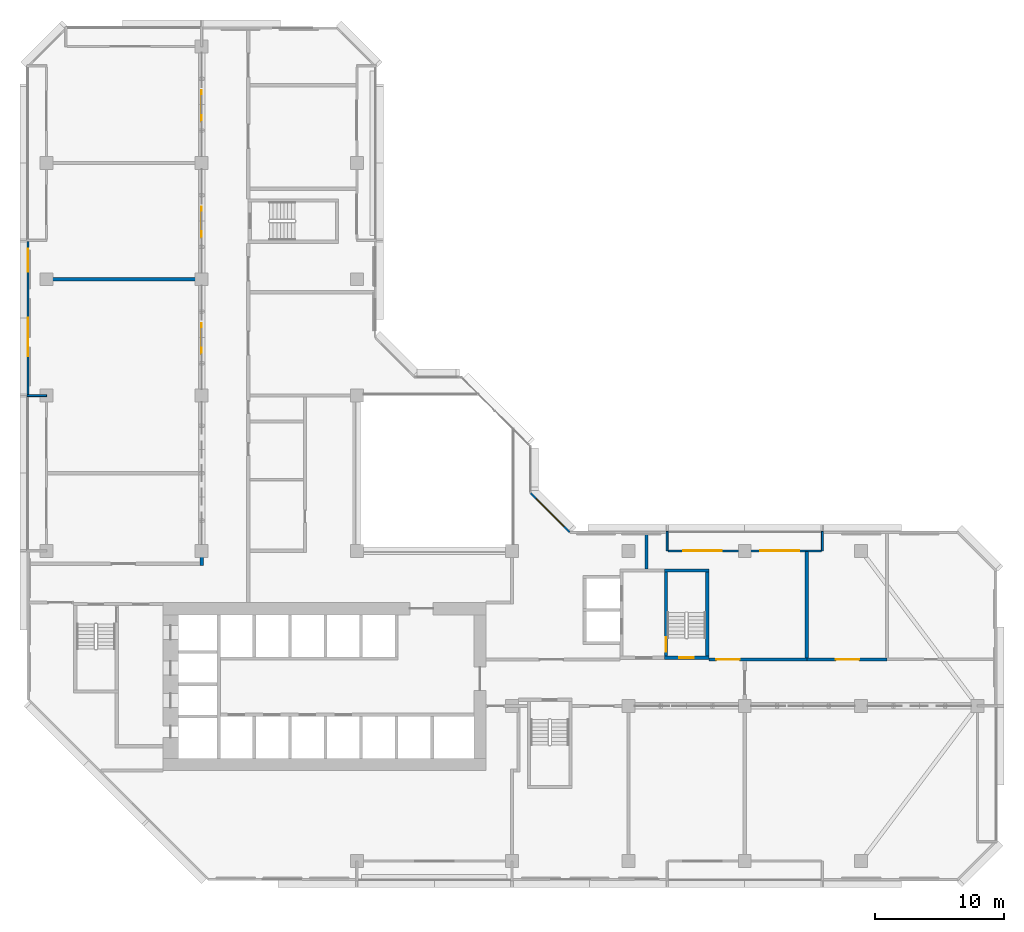
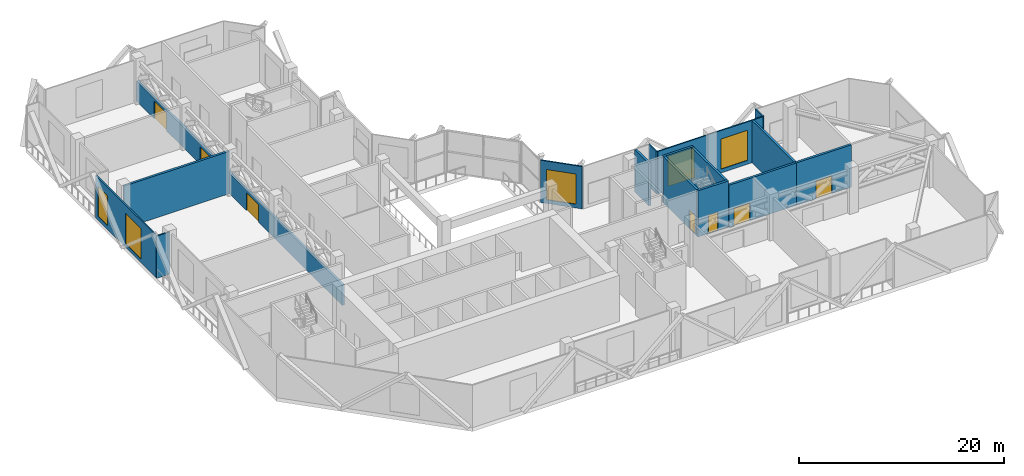
# One storey, part 8 of 15: 16 walls, 7 doors, 5 windows, 12 openings.
"""IFC4 building model written with IfcOpenShell, lengths in metres."""

from ifc_helpers import new_model, si_unit, direction, frame, frame_2d, origin, place, context, subcontext, project, spatial, rectangle, extrude, material, layer, layer_set, type_object, element, fill, save


model = new_model("IFC4")

# Units and contexts
model_context = context("Model", 3, precision=1e-05, world=origin(), true_north=direction((0.0, 1.0)))
body_context = subcontext(model_context, "Body", "Model", "MODEL_VIEW")
ifc_project = project(units=[si_unit("LENGTHUNIT", "METRE"), si_unit("AREAUNIT", "SQUARE_METRE"), si_unit("VOLUMEUNIT", "CUBIC_METRE"), si_unit("PLANEANGLEUNIT", "RADIAN"), si_unit("MASSUNIT", "GRAM", prefix="KILO")], contexts=[model_context])

# Site, building, storey
site_placement = place(None, origin())
site = spatial("IfcSite", under=ifc_project, at=site_placement, CompositionType="ELEMENT")
building_placement = place(site_placement, origin())
building = spatial("IfcBuilding", under=site, at=building_placement, Name="Chenar Terraces", CompositionType="ELEMENT")
storey_placement = place(building_placement, frame((0.0, 0.0, 140.64990234375)))
storey = spatial("IfcBuildingStorey", under=building, at=storey_placement, Name="L33", CompositionType="ELEMENT", Elevation=140.64990234375)

# Wall, opening, door
ifc_material_1 = material(Name="Concrete C70/85", Category="concrete")
ifc_layer_1 = layer(ifc_material_1, 0.25)
ifc_layer_set_1 = layer_set([ifc_layer_1], Name="Concrete C70/85")
wall_type_1 = type_object("IfcWallType", Name="Core wall 250 Concrete C70/85", PredefinedType="SHEAR", material=ifc_layer_set_1)
wall_1_placement = place(storey_placement, frame((47.77490234375, 15.72509765625, 0.0), z_axis=(0.0, 0.0, 1.0), x_axis=(1.0, 0.0, 0.0)))
wall_1 = element("IfcWall", 1, at=wall_1_placement, inside=storey, type_object=wall_type_1, Name="Core wall ST3_S L33", PredefinedType="SHEAR", context=body_context, shape_type="SweptSolid", body=[
    extrude(rectangle(XDim=3.4501953125, YDim=0.25, at=frame_2d((1.72509765625, 0.0))), origin(), (0.0, 0.0, 1.0), 5.5),
])
opening_1_placement = place(wall_1_placement, frame((1.175048828125, 0.0, 0.0)))
opening_1 = element("IfcOpeningElement", 2, at=opening_1_placement, cuts=wall_1, Name="Opening DL33-C8", PredefinedType="OPENING", context=body_context, shape_type="SweptSolid", body=[
    extrude(rectangle(XDim=1.10009765625, YDim=2.199951171875, at=frame_2d((0.550048828125, 1.10009765625))), frame((0.0, 0.135009765625, 0.0), z_axis=(0.0, -1.0, 0.0), x_axis=(1.0, 0.0, 0.0)), (0.0, 0.0, 1.0), 0.27001953125),
])
ifc_material_2 = material(Name="Steel-framed fire-resisting door leaf", Category="steel")
door_type_1 = type_object("IfcDoorType", Name="Stair fire door FD60 1100 x 2200", OperationType="SINGLE_SWING_LEFT", PredefinedType="DOOR", material=ifc_material_2)
door_1_placement = place(opening_1_placement, frame((1.10009765625, 0.0, 0.0), z_axis=(0.0, 0.0, 1.0), x_axis=(-1.0, 0.0, 0.0)))
door_1 = element("IfcDoor", 3, at=door_1_placement, inside=storey, type_object=door_type_1, Name="Stair door DL33-C8", OperationType="SINGLE_SWING_LEFT", OverallHeight=2.199951171875, OverallWidth=1.10009765625, PredefinedType="DOOR", context=body_context, shape_type="SweptSolid", body=[
    extrude(rectangle(XDim=1.10009765625, YDim=2.199951171875, at=frame_2d((0.550048828125, 1.10009765625))), frame((0.0, 0.02490234375, 0.0), z_axis=(0.0, -1.0, 0.0), x_axis=(1.0, 0.0, 0.0)), (0.0, 0.0, 1.0), 0.050048828125),
])
fill(opening_1, door_1)

# Wall
wall_2_placement = place(storey_placement, frame((47.77490234375, 22.47509765625, 0.0), z_axis=(0.0, 0.0, 1.0), x_axis=(1.0, 0.0, 0.0)))
element("IfcWall", 4, at=wall_2_placement, inside=storey, type_object=wall_type_1, Name="Core wall ST3_N L33", PredefinedType="SHEAR", context=body_context, shape_type="SweptSolid", body=[
    extrude(rectangle(XDim=3.4501953125, YDim=0.25, at=frame_2d((1.72509765625, 0.0))), origin(), (0.0, 0.0, 1.0), 5.5),
])

# Wall, opening, door
wall_3_placement = place(storey_placement, frame((47.89990234375, 15.85009765625, 0.0), z_axis=(0.0, 0.0, 1.0), x_axis=(0.0, 1.0, 0.0)))
wall_3 = element("IfcWall", 5, at=wall_3_placement, inside=storey, type_object=wall_type_1, Name="Core wall ST3_W L33", PredefinedType="SHEAR", context=body_context, shape_type="SweptSolid", body=[
    extrude(rectangle(XDim=6.5, YDim=0.25, at=frame_2d((3.25, 0.0))), origin(), (0.0, 0.0, 1.0), 5.5),
])
opening_2_placement = place(wall_3_placement, frame((0.35009765625, 0.0, 0.0)))
opening_2 = element("IfcOpeningElement", 6, at=opening_2_placement, cuts=wall_3, Name="Opening DL33-C11", PredefinedType="OPENING", context=body_context, shape_type="SweptSolid", body=[
    extrude(rectangle(XDim=1.10009765625, YDim=2.199951171875, at=frame_2d((0.550048828125, 1.10009765625))), frame((0.0, 0.135009765625, 0.0), z_axis=(0.0, -1.0, 0.0), x_axis=(1.0, 0.0, 0.0)), (0.0, 0.0, 1.0), 0.27001953125),
])
door_2_placement = place(opening_2_placement, frame((1.10009765625, 0.0, 0.0), z_axis=(0.0, 0.0, 1.0), x_axis=(-1.0, 0.0, 0.0)))
door_2 = element("IfcDoor", 7, at=door_2_placement, inside=storey, type_object=door_type_1, Name="Stair door DL33-C11", OperationType="SINGLE_SWING_RIGHT", OverallHeight=2.199951171875, OverallWidth=1.10009765625, PredefinedType="DOOR", context=body_context, shape_type="SweptSolid", body=[
    extrude(rectangle(XDim=1.10009765625, YDim=2.199951171875, at=frame_2d((0.550048828125, 1.10009765625))), frame((0.0, 0.02490234375, 0.0), z_axis=(0.0, -1.0, 0.0), x_axis=(1.0, 0.0, 0.0)), (0.0, 0.0, 1.0), 0.050048828125),
])
fill(opening_2, door_2)

# Wall
wall_4_placement = place(storey_placement, frame((51.10009765625, 15.85009765625, 0.0), z_axis=(0.0, 0.0, 1.0), x_axis=(0.0, 1.0, 0.0)))
element("IfcWall", 8, at=wall_4_placement, inside=storey, type_object=wall_type_1, Name="Core wall ST3_E L33", PredefinedType="SHEAR", context=body_context, shape_type="SweptSolid", body=[
    extrude(rectangle(XDim=6.5, YDim=0.25, at=frame_2d((3.25, 0.0))), origin(), (0.0, 0.0, 1.0), 5.5),
])

# Wall, openings, windows
ifc_material_3 = material(Name="Aluminium framed glazing", Category="aluminium")
ifc_layer_2 = layer(ifc_material_3, 0.14990234375)
ifc_layer_set_2 = layer_set([ifc_layer_2], Name="Aluminium framed glazing")
wall_type_2 = type_object("IfcWallType", Name="Glazed flush facade wall 150", PredefinedType="SOLIDWALL", material=ifc_layer_set_2)
wall_5_placement = place(storey_placement, frame((-1.425048828125, 47.925048828125, 0.0), z_axis=(0.0, 0.0, 1.0), x_axis=(0.0, -1.0, 0.0)))
wall_5 = element("IfcWall", 9, at=wall_5_placement, inside=storey, type_object=wall_type_2, Name="Glazed flush facade wall", PredefinedType="SOLIDWALL", context=body_context, shape_type="SweptSolid", body=[
    extrude(rectangle(XDim=11.85009765625, YDim=0.14990234375, at=frame_2d((5.925048828125, 0.0))), origin(), (0.0, 0.0, 1.0), 5.050048828125),
])
opening_3_placement = place(wall_5_placement, frame((0.5625, 0.0, 0.449951171875)))
opening_3 = element("IfcOpeningElement", 10, at=opening_3_placement, cuts=wall_5, Name="Opening W180x360", PredefinedType="OPENING", context=body_context, shape_type="SweptSolid", body=[
    extrude(rectangle(XDim=1.800048828125, YDim=3.60009765625, at=frame_2d((0.89990234375, 1.800048828125))), frame((0.0, 0.0849609375, 0.0), z_axis=(0.0, -1.0, 0.0), x_axis=(1.0, 0.0, 0.0)), (0.0, 0.0, 1.0), 0.169921875),
])
opening_4_placement = place(wall_5_placement, frame((5.887451171875, 0.0, 0.449951171875)))
opening_4 = element("IfcOpeningElement", 11, at=opening_4_placement, cuts=wall_5, Name="Opening W300x360", PredefinedType="OPENING", context=body_context, shape_type="SweptSolid", body=[
    extrude(rectangle(XDim=3.0, YDim=3.60009765625, at=frame_2d((1.5, 1.800048828125))), frame((0.0, 0.0849609375, 0.0), z_axis=(0.0, -1.0, 0.0), x_axis=(1.0, 0.0, 0.0)), (0.0, 0.0, 1.0), 0.169921875),
])
ifc_material_4 = material(Name="Low emissivity double glazing, aluminium frame", Category="aluminium")
window_type_1 = type_object("IfcWindowType", Name="Fixed light 1800 x 3600", PartitioningType="SINGLE_PANEL", PredefinedType="WINDOW", material=ifc_material_4)
window_1_placement = place(opening_3_placement, origin())
window_1 = element("IfcWindow", 12, at=window_1_placement, inside=storey, type_object=window_type_1, Name="Window", OverallHeight=3.60009765625, OverallWidth=1.800048828125, PartitioningType="SINGLE_PANEL", PredefinedType="WINDOW", context=body_context, shape_type="SweptSolid", body=[
    extrude(rectangle(XDim=1.800048828125, YDim=3.60009765625, at=frame_2d((0.89990234375, 1.800048828125))), frame((0.0, 0.030029296875, 0.0), z_axis=(0.0, -1.0, 0.0), x_axis=(1.0, 0.0, 0.0)), (0.0, 0.0, 1.0), 0.06005859375),
])
fill(opening_3, window_1)
ifc_material_5 = material(Name="Low emissivity double glazing, aluminium frame", Category="aluminium")
window_type_2 = type_object("IfcWindowType", Name="Fixed light 3000 x 3600", PartitioningType="SINGLE_PANEL", PredefinedType="WINDOW", material=ifc_material_5)
window_2_placement = place(opening_4_placement, origin())
window_2 = element("IfcWindow", 13, at=window_2_placement, inside=storey, type_object=window_type_2, Name="Window", OverallHeight=3.60009765625, OverallWidth=3.0, PartitioningType="SINGLE_PANEL", PredefinedType="WINDOW", context=body_context, shape_type="SweptSolid", body=[
    extrude(rectangle(XDim=3.0, YDim=3.60009765625, at=frame_2d((1.5, 1.800048828125))), frame((0.0, 0.030029296875, 0.0), z_axis=(0.0, -1.0, 0.0), x_axis=(1.0, 0.0, 0.0)), (0.0, 0.0, 1.0), 0.06005859375),
])
fill(opening_4, window_2)

ifc_material_6 = material(Name="Aluminium framed glazing", Category="aluminium")
ifc_layer_3 = layer(ifc_material_6, 0.14990234375)
ifc_layer_set_3 = layer_set([ifc_layer_3], Name="Aluminium framed glazing")
wall_type_3 = type_object("IfcWallType", Name="Glazed loggia back wall 150", PredefinedType="SOLIDWALL", material=ifc_layer_set_3)
wall_6_placement = place(storey_placement, frame((59.925048828125, 24.0, 0.0), z_axis=(0.0, 0.0, 1.0), x_axis=(-1.0, 0.0, 0.0)))
wall_6 = element("IfcWall", 14, at=wall_6_placement, inside=storey, type_object=wall_type_3, Name="Glazed loggia back wall", PredefinedType="SOLIDWALL", context=body_context, shape_type="SweptSolid", body=[
    extrude(rectangle(XDim=11.85009765625, YDim=0.14990234375, at=frame_2d((5.925048828125, 0.0))), origin(), (0.0, 0.0, 1.0), 5.050048828125),
])
opening_5_placement = place(wall_6_placement, frame((1.72509765625, 0.0, 0.449951171875)))
opening_5 = element("IfcOpeningElement", 15, at=opening_5_placement, cuts=wall_6, Name="Opening W300x360", PredefinedType="OPENING", context=body_context, shape_type="SweptSolid", body=[
    extrude(rectangle(XDim=3.0, YDim=3.60009765625, at=frame_2d((1.5, 1.800048828125))), frame((0.0, 0.0849609375, 0.0), z_axis=(0.0, -1.0, 0.0), x_axis=(1.0, 0.0, 0.0)), (0.0, 0.0, 1.0), 0.169921875),
])
opening_6_placement = place(wall_6_placement, frame((7.6875, 0.0, 0.449951171875)))
opening_6 = element("IfcOpeningElement", 16, at=opening_6_placement, cuts=wall_6, Name="Opening W300x360", PredefinedType="OPENING", context=body_context, shape_type="SweptSolid", body=[
    extrude(rectangle(XDim=3.0, YDim=3.60009765625, at=frame_2d((1.5, 1.800048828125))), frame((0.0, 0.0849609375, 0.0), z_axis=(0.0, -1.0, 0.0), x_axis=(1.0, 0.0, 0.0)), (0.0, 0.0, 1.0), 0.169921875),
])
window_3_placement = place(opening_5_placement, origin())
window_3 = element("IfcWindow", 17, at=window_3_placement, inside=storey, type_object=window_type_2, Name="Window", OverallHeight=3.60009765625, OverallWidth=3.0, PartitioningType="SINGLE_PANEL", PredefinedType="WINDOW", context=body_context, shape_type="SweptSolid", body=[
    extrude(rectangle(XDim=3.0, YDim=3.60009765625, at=frame_2d((1.5, 1.800048828125))), frame((0.0, 0.030029296875, 0.0), z_axis=(0.0, -1.0, 0.0), x_axis=(1.0, 0.0, 0.0)), (0.0, 0.0, 1.0), 0.06005859375),
])
fill(opening_5, window_3)
window_4_placement = place(opening_6_placement, origin())
window_4 = element("IfcWindow", 18, at=window_4_placement, inside=storey, type_object=window_type_2, Name="Window", OverallHeight=3.60009765625, OverallWidth=3.0, PartitioningType="SINGLE_PANEL", PredefinedType="WINDOW", context=body_context, shape_type="SweptSolid", body=[
    extrude(rectangle(XDim=3.0, YDim=3.60009765625, at=frame_2d((1.5, 1.800048828125))), frame((0.0, 0.030029296875, 0.0), z_axis=(0.0, -1.0, 0.0), x_axis=(1.0, 0.0, 0.0)), (0.0, 0.0, 1.0), 0.06005859375),
])
fill(opening_6, window_4)

# Walls
ifc_material_7 = material(Name="Terracotta cladding on insulated backing", Category="masonry")
ifc_layer_4 = layer(ifc_material_7, 0.14990234375)
ifc_layer_set_4 = layer_set([ifc_layer_4], Name="Terracotta cladding on insulated backing")
wall_type_4 = type_object("IfcWallType", Name="Loggia return wall 150", PredefinedType="SOLIDWALL", material=ifc_layer_set_4)
for number, where, z_axis, x_axis, name in (
    (19, (60.0, 25.5, 0.0), (0.0, 0.0, 1.0), (0.0, -1.0, 0.0), "Loggia return wall"),
    (20, (48.0, 25.5, 0.0), (0.0, 0.0, 1.0), (0.0, -1.0, 0.0), "Loggia return wall"),
    (21, (-1.5, 36.0, 0.0), (0.0, 0.0, 1.0), (1.0, 0.0, 0.0), "Loggia return wall"),
):
    element("IfcWall", number, at=place(storey_placement, frame(where, z_axis=z_axis, x_axis=x_axis)), inside=storey, type_object=wall_type_4, Name=name, PredefinedType="SOLIDWALL", context=body_context, shape_type="SweptSolid", body=[
        extrude(rectangle(XDim=1.5, YDim=0.14990234375, at=frame_2d((0.75, 0.0))), origin(), (0.0, 0.0, 1.0), 5.050048828125),
    ])

# Wall, opening, door
ifc_material_8 = material(Name="Fire-board and steel stud wall with mineral wool", Category="steel")
ifc_layer_5 = layer(ifc_material_8, 0.25)
ifc_layer_set_5 = layer_set([ifc_layer_5], Name="Fire-board and steel stud wall with mineral wool")
wall_type_5 = type_object("IfcWallType", Name="Plant room wall 250", PredefinedType="PARTITIONING", material=ifc_layer_set_5)
wall_7_placement = place(storey_placement, frame((58.800048828125, 15.60009765625, 0.0), z_axis=(0.0, 0.0, 1.0), x_axis=(1.0, 0.0, 0.0)))
wall_7 = element("IfcWall", 22, at=wall_7_placement, inside=storey, type_object=wall_type_5, Name="Partition L33-031", PredefinedType="PARTITIONING", context=body_context, shape_type="SweptSolid", body=[
    extrude(rectangle(XDim=6.199951171875, YDim=0.25, at=frame_2d((3.10009765625, 0.0))), origin(), (0.0, 0.0, 1.0), 5.050048828125),
])
opening_7_placement = place(wall_7_placement, frame((2.25, 0.0, 0.0)))
opening_7 = element("IfcOpeningElement", 23, at=opening_7_placement, cuts=wall_7, Name="Opening DL33-3", PredefinedType="OPENING", context=body_context, shape_type="SweptSolid", body=[
    extrude(rectangle(XDim=1.800048828125, YDim=2.10009765625, at=frame_2d((0.89990234375, 1.050048828125))), frame((0.0, 0.135009765625, 0.0), z_axis=(0.0, -1.0, 0.0), x_axis=(1.0, 0.0, 0.0)), (0.0, 0.0, 1.0), 0.27001953125),
])
ifc_material_9 = material(Name="Steel-framed fire-resisting door leaf", Category="steel")
door_type_2 = type_object("IfcDoorType", Name="Fire double door FD120 1800 x 2100", OperationType="DOUBLE_DOOR_SINGLE_SWING", PredefinedType="DOOR", material=ifc_material_9)
door_3_placement = place(opening_7_placement, origin())
door_3 = element("IfcDoor", 24, at=door_3_placement, inside=storey, type_object=door_type_2, Name="Door DL33-3", OperationType="DOUBLE_DOOR_SINGLE_SWING", OverallHeight=2.10009765625, OverallWidth=1.800048828125, PredefinedType="DOOR", context=body_context, shape_type="SweptSolid", body=[
    extrude(rectangle(XDim=1.800048828125, YDim=2.10009765625, at=frame_2d((0.89990234375, 1.050048828125))), frame((0.0, 0.02490234375, 0.0), z_axis=(0.0, -1.0, 0.0), x_axis=(1.0, 0.0, 0.0)), (0.0, 0.0, 1.0), 0.050048828125),
])
fill(opening_7, door_3)

# Wall
ifc_material_10 = material(Name="Fire-board and steel stud wall with mineral wool", Category="steel")
ifc_layer_6 = layer(ifc_material_10, 0.25)
ifc_layer_set_6 = layer_set([ifc_layer_6], Name="Fire-board and steel stud wall with mineral wool")
wall_type_6 = type_object("IfcWallType", Name="Refuge compartment wall 250", PredefinedType="PARTITIONING", material=ifc_layer_set_6)
wall_8_placement = place(storey_placement, frame((0.0, 45.0, 0.0), z_axis=(0.0, 0.0, 1.0), x_axis=(1.0, 0.0, 0.0)))
element("IfcWall", 25, at=wall_8_placement, inside=storey, type_object=wall_type_6, Name="Partition L33-003", PredefinedType="PARTITIONING", context=body_context, shape_type="SweptSolid", body=[
    extrude(rectangle(XDim=11.875, YDim=0.25, at=frame_2d((5.9375, 0.0))), origin(), (0.0, 0.0, 1.0), 5.050048828125),
])

# Wall, openings, doors
wall_9_placement = place(storey_placement, frame((12.0, 22.875, 0.0), z_axis=(0.0, 0.0, 1.0), x_axis=(0.0, 1.0, 0.0)))
wall_9 = element("IfcWall", 26, at=wall_9_placement, inside=storey, type_object=wall_type_6, Name="Partition L33-007", PredefinedType="PARTITIONING", context=body_context, shape_type="SweptSolid", body=[
    extrude(rectangle(XDim=40.125, YDim=0.25, at=frame_2d((20.0625, 0.0))), origin(), (0.0, 0.0, 1.0), 2.4501953125),
])
opening_8_placement = place(wall_9_placement, frame((16.324951171875, 0.0, 0.0)))
opening_8 = element("IfcOpeningElement", 27, at=opening_8_placement, cuts=wall_9, Name="Opening DL33-13", PredefinedType="OPENING", context=body_context, shape_type="SweptSolid", body=[
    extrude(rectangle(XDim=2.39990234375, YDim=2.10009765625, at=frame_2d((1.199951171875, 1.050048828125))), frame((0.0, 0.135009765625, 0.0), z_axis=(0.0, -1.0, 0.0), x_axis=(1.0, 0.0, 0.0)), (0.0, 0.0, 1.0), 0.27001953125),
])
opening_9_placement = place(wall_9_placement, frame((25.324951171875, 0.0, 0.0)))
opening_9 = element("IfcOpeningElement", 28, at=opening_9_placement, cuts=wall_9, Name="Opening DL33-14", PredefinedType="OPENING", context=body_context, shape_type="SweptSolid", body=[
    extrude(rectangle(XDim=2.39990234375, YDim=2.10009765625, at=frame_2d((1.199951171875, 1.050048828125))), frame((0.0, 0.135009765625, 0.0), z_axis=(0.0, -1.0, 0.0), x_axis=(1.0, 0.0, 0.0)), (0.0, 0.0, 1.0), 0.27001953125),
])
opening_10_placement = place(wall_9_placement, frame((34.324951171875, 0.0, 0.0)))
opening_10 = element("IfcOpeningElement", 29, at=opening_10_placement, cuts=wall_9, Name="Opening DL33-15", PredefinedType="OPENING", context=body_context, shape_type="SweptSolid", body=[
    extrude(rectangle(XDim=2.39990234375, YDim=2.10009765625, at=frame_2d((1.199951171875, 1.050048828125))), frame((0.0, 0.135009765625, 0.0), z_axis=(0.0, -1.0, 0.0), x_axis=(1.0, 0.0, 0.0)), (0.0, 0.0, 1.0), 0.27001953125),
])
ifc_material_11 = material(Name="Steel-framed fire-resisting door leaf", Category="steel")
door_type_3 = type_object("IfcDoorType", Name="Fire double door FD120 2400 x 2100", OperationType="DOUBLE_DOOR_SINGLE_SWING", PredefinedType="DOOR", material=ifc_material_11)
door_4_placement = place(opening_8_placement, origin())
door_4 = element("IfcDoor", 30, at=door_4_placement, inside=storey, type_object=door_type_3, Name="Door DL33-13", OperationType="DOUBLE_DOOR_SINGLE_SWING", OverallHeight=2.10009765625, OverallWidth=2.39990234375, PredefinedType="DOOR", context=body_context, shape_type="SweptSolid", body=[
    extrude(rectangle(XDim=2.39990234375, YDim=2.10009765625, at=frame_2d((1.199951171875, 1.050048828125))), frame((0.0, 0.02490234375, 0.0), z_axis=(0.0, -1.0, 0.0), x_axis=(1.0, 0.0, 0.0)), (0.0, 0.0, 1.0), 0.050048828125),
])
fill(opening_8, door_4)
door_5_placement = place(opening_9_placement, origin())
door_5 = element("IfcDoor", 31, at=door_5_placement, inside=storey, type_object=door_type_3, Name="Door DL33-14", OperationType="DOUBLE_DOOR_SINGLE_SWING", OverallHeight=2.10009765625, OverallWidth=2.39990234375, PredefinedType="DOOR", context=body_context, shape_type="SweptSolid", body=[
    extrude(rectangle(XDim=2.39990234375, YDim=2.10009765625, at=frame_2d((1.199951171875, 1.050048828125))), frame((0.0, 0.02490234375, 0.0), z_axis=(0.0, -1.0, 0.0), x_axis=(1.0, 0.0, 0.0)), (0.0, 0.0, 1.0), 0.050048828125),
])
fill(opening_9, door_5)
door_6_placement = place(opening_10_placement, origin())
door_6 = element("IfcDoor", 32, at=door_6_placement, inside=storey, type_object=door_type_3, Name="Door DL33-15", OperationType="DOUBLE_DOOR_SINGLE_SWING", OverallHeight=2.10009765625, OverallWidth=2.39990234375, PredefinedType="DOOR", context=body_context, shape_type="SweptSolid", body=[
    extrude(rectangle(XDim=2.39990234375, YDim=2.10009765625, at=frame_2d((1.199951171875, 1.050048828125))), frame((0.0, 0.02490234375, 0.0), z_axis=(0.0, -1.0, 0.0), x_axis=(1.0, 0.0, 0.0)), (0.0, 0.0, 1.0), 0.050048828125),
])
fill(opening_10, door_6)

# Wall
wall_10_placement = place(storey_placement, frame((46.39990234375, 22.60009765625, 0.0), z_axis=(0.0, 0.0, 1.0), x_axis=(0.0, 1.0, 0.0)))
element("IfcWall", 33, at=wall_10_placement, inside=storey, type_object=wall_type_6, Name="Partition L33-027", PredefinedType="PARTITIONING", context=body_context, shape_type="SweptSolid", body=[
    extrude(rectangle(XDim=2.75, YDim=0.25, at=frame_2d((1.375, 0.0))), origin(), (0.0, 0.0, 1.0), 5.050048828125),
])

# Wall, opening, door
wall_11_placement = place(storey_placement, frame((51.22509765625, 15.60009765625, 0.0), z_axis=(0.0, 0.0, 1.0), x_axis=(1.0, 0.0, 0.0)))
wall_11 = element("IfcWall", 34, at=wall_11_placement, inside=storey, type_object=wall_type_6, Name="Partition L33-028", PredefinedType="PARTITIONING", context=body_context, shape_type="SweptSolid", body=[
    extrude(rectangle(XDim=7.574951171875, YDim=0.25, at=frame_2d((3.78759765625, 0.0))), origin(), (0.0, 0.0, 1.0), 5.050048828125),
])
opening_11_placement = place(wall_11_placement, frame((0.574951171875, 0.0, 0.0)))
opening_11 = element("IfcOpeningElement", 35, at=opening_11_placement, cuts=wall_11, Name="Opening DL33-2", PredefinedType="OPENING", context=body_context, shape_type="SweptSolid", body=[
    extrude(rectangle(XDim=1.800048828125, YDim=2.10009765625, at=frame_2d((0.89990234375, 1.050048828125))), frame((0.0, 0.135009765625, 0.0), z_axis=(0.0, -1.0, 0.0), x_axis=(1.0, 0.0, 0.0)), (0.0, 0.0, 1.0), 0.27001953125),
])
door_7_placement = place(opening_11_placement, origin())
door_7 = element("IfcDoor", 36, at=door_7_placement, inside=storey, type_object=door_type_2, Name="Door DL33-2", OperationType="DOUBLE_DOOR_SINGLE_SWING", OverallHeight=2.10009765625, OverallWidth=1.800048828125, PredefinedType="DOOR", context=body_context, shape_type="SweptSolid", body=[
    extrude(rectangle(XDim=1.800048828125, YDim=2.10009765625, at=frame_2d((0.89990234375, 1.050048828125))), frame((0.0, 0.02490234375, 0.0), z_axis=(0.0, -1.0, 0.0), x_axis=(1.0, 0.0, 0.0)), (0.0, 0.0, 1.0), 0.050048828125),
])
fill(opening_11, door_7)

# Wall
wall_12_placement = place(storey_placement, frame((58.800048828125, 15.72509765625, 0.0), z_axis=(0.0, 0.0, 1.0), x_axis=(0.0, 1.0, 0.0)))
element("IfcWall", 37, at=wall_12_placement, inside=storey, type_object=wall_type_6, Name="Partition L33-032", PredefinedType="PARTITIONING", context=body_context, shape_type="SweptSolid", body=[
    extrude(rectangle(XDim=8.200927734375, YDim=0.25, at=frame_2d((4.1005859375, 0.0))), origin(), (0.0, 0.0, 1.0), 5.050048828125),
])

# Wall, opening, window
ifc_material_12 = material(Name="Terracotta cladding on insulated backing", Category="masonry")
ifc_layer_7 = layer(ifc_material_12, 0.14990234375)
ifc_layer_set_7 = layer_set([ifc_layer_7], Name="Terracotta cladding on insulated backing")
wall_type_7 = type_object("IfcWallType", Name="Terracotta rainscreen wall 150", PredefinedType="SOLIDWALL", material=ifc_layer_set_7)
wall_13_placement = place(storey_placement, frame((40.447021484375, 25.447021484375, 0.0), z_axis=(0.0, 0.0, 1.0), x_axis=(-0.707106781187, 0.707106781187, 0.0)))
wall_13 = element("IfcWall", 38, at=wall_13_placement, inside=storey, type_object=wall_type_7, Name="Terracotta rainscreen wall", PredefinedType="SOLIDWALL", context=body_context, shape_type="SweptSolid", body=[
    extrude(rectangle(XDim=4.24267578125, YDim=0.14990234375, at=frame_2d((2.121337890625, 0.0))), origin(), (0.0, 0.0, 1.0), 5.050048828125),
])
opening_12_placement = place(wall_13_placement, frame((0.621337890625, 0.0, 0.449951171875)))
opening_12 = element("IfcOpeningElement", 39, at=opening_12_placement, cuts=wall_13, Name="Opening W300x360", PredefinedType="OPENING", context=body_context, shape_type="SweptSolid", body=[
    extrude(rectangle(XDim=3.0, YDim=3.60009765625, at=frame_2d((1.5, 1.800048828125))), frame((0.0, 0.0849609375, 0.0), z_axis=(0.0, -1.0, 0.0), x_axis=(1.0, 0.0, 0.0)), (0.0, 0.0, 1.0), 0.169921875),
])
window_5_placement = place(opening_12_placement, origin())
window_5 = element("IfcWindow", 40, at=window_5_placement, inside=storey, type_object=window_type_2, Name="Window", OverallHeight=3.60009765625, OverallWidth=3.0, PartitioningType="SINGLE_PANEL", PredefinedType="WINDOW", context=body_context, shape_type="SweptSolid", body=[
    extrude(rectangle(XDim=3.0, YDim=3.60009765625, at=frame_2d((1.5, 1.800048828125))), frame((0.0, 0.030029296875, 0.0), z_axis=(0.0, -1.0, 0.0), x_axis=(1.0, 0.0, 0.0)), (0.0, 0.0, 1.0), 0.06005859375),
])
fill(opening_12, window_5)

save(model, "model.ifc")
